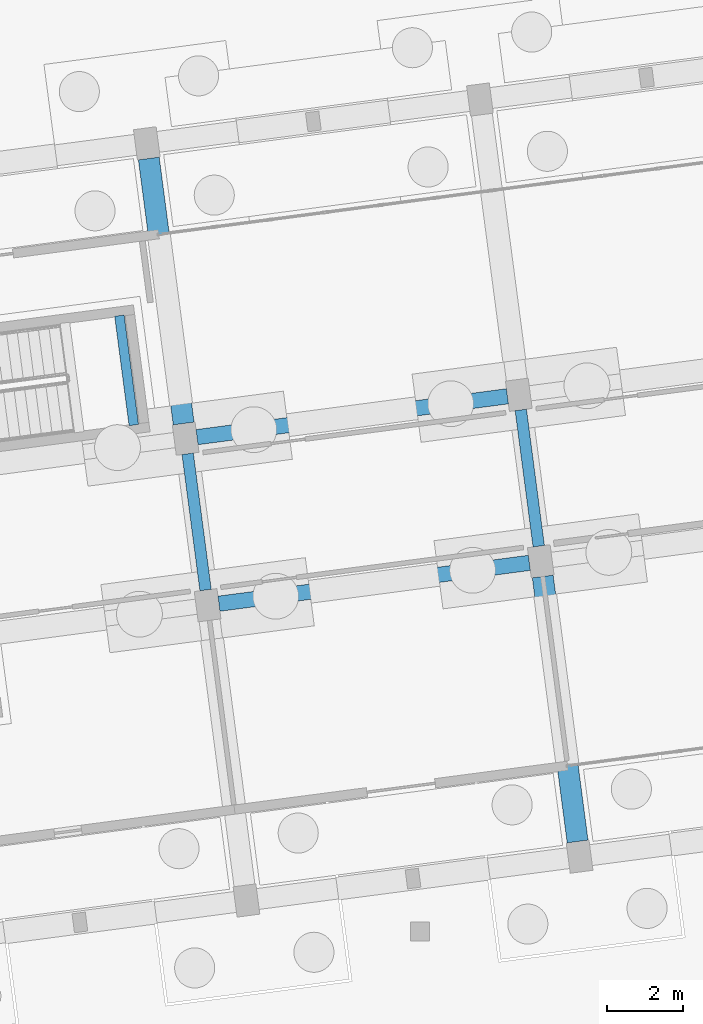
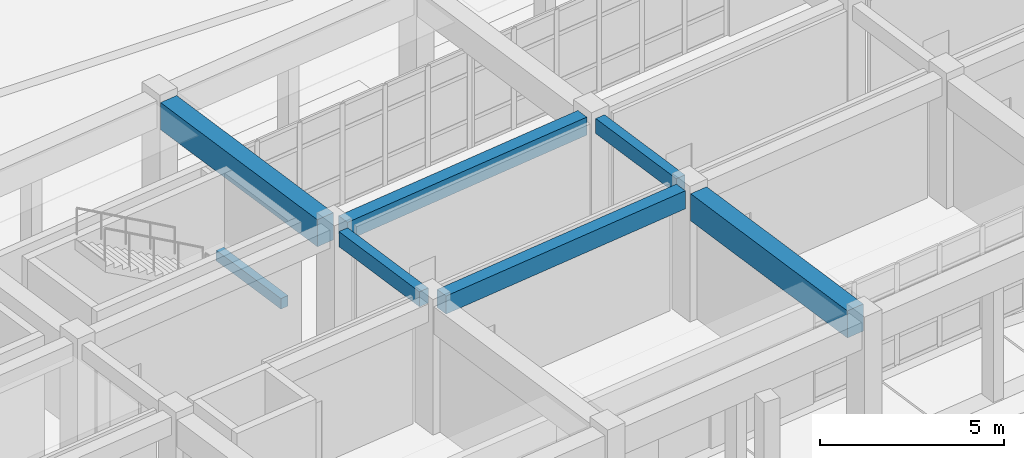
# One storey, part 65 of 154: 7 beams.
"""IFC4 building model written with IfcOpenShell, lengths in metres."""

import ifcopenshell
import ifcopenshell.guid

model = None  # the IFC model being written
_history = None  # IfcOwnerHistory: only IFC2X3 demands one
_inside = {}  # id of a spatial element -> (the spatial element, [elements in it])
_under = {}  # id of a project, library or spatial element -> (it, [spatial elements below it])
_declared = {}  # id of a project -> (the project, [libraries it declares])
_typed = {}  # id of a type object -> (the type object, [elements of that type])
_made_of = {}  # id of a material, layer set ... -> (it, [elements and type objects made of it])


def new_model(schema):
    """Start an empty IFC model of exactly this schema.

    Asked for "IFC4X3", IfcOpenShell would pick the latest addendum, in which some entities
    have other attributes; the version numbers below select the first issue.
    IFC2X3 requires an IfcOwnerHistory on every rooted entity: one is made here for all.
    """
    global model, _history
    if schema == "IFC4X3":
        model = ifcopenshell.file(schema_version=(4, 3, 0, 0))
    else:
        model = ifcopenshell.file(schema=schema)
    _inside.clear()
    _under.clear()
    _declared.clear()
    _typed.clear()
    _made_of.clear()
    _history = None
    if model.schema == "IFC2X3":
        org = make("IfcOrganization", Name="unknown")
        user = make(
            "IfcPersonAndOrganization",
            ThePerson=make("IfcPerson", FamilyName="unknown"),
            TheOrganization=org,
        )
        app = make(
            "IfcApplication",
            ApplicationDeveloper=org,
            Version="unknown",
            ApplicationFullName="unknown",
            ApplicationIdentifier="unknown",
        )
        _history = make(
            "IfcOwnerHistory",
            OwningUser=user,
            OwningApplication=app,
            ChangeAction="ADDED",
            CreationDate=0,
        )
    return model


def make(cls, **values):
    """One entity of the class cls with the attributes given. An attribute that is None is left unset."""
    return model.create_entity(
        cls, **{name: value for name, value in values.items() if value is not None}
    )


def rooted(cls, **values):
    """An entity with a GlobalId (a new one), such as an element, a storey or a relation."""
    return make(cls, GlobalId=ifcopenshell.guid.new(), OwnerHistory=_history, **values)


def si_unit(unit_type, name, prefix=None):
    """IfcSIUnit, for example si_unit("LENGTHUNIT", "METRE", prefix="MILLI")."""
    return make("IfcSIUnit", UnitType=unit_type, Prefix=prefix, Name=name)


def assignment(units):
    """IfcUnitAssignment: the units of a project."""
    return None if units is None else make("IfcUnitAssignment", Units=units)


def point(xyz):
    """IfcCartesianPoint."""
    return None if xyz is None else make("IfcCartesianPoint", Coordinates=xyz)


def direction(xyz):
    """IfcDirection."""
    return None if xyz is None else make("IfcDirection", DirectionRatios=xyz)


def frame(location, z_axis=None, x_axis=None):
    """IfcAxis2Placement3D, a coordinate frame: its origin and axes. An axis left out is left unset."""
    return make(
        "IfcAxis2Placement3D",
        Location=point(location),
        Axis=direction(z_axis),
        RefDirection=direction(x_axis),
    )


def frame_2d(location, x_axis=None):
    """IfcAxis2Placement2D, a coordinate frame in the plane: its origin and x axis."""
    return make(
        "IfcAxis2Placement2D", Location=point(location), RefDirection=direction(x_axis)
    )


def origin():
    """The frame at (0, 0, 0) with its axes left unset."""
    return frame((0.0, 0.0, 0.0))


def origin_2d():
    """The frame at (0, 0) in the plane with its x axis left unset."""
    return frame_2d((0.0, 0.0))


def place(relative_to, where):
    """IfcLocalPlacement: puts the frame where relative to a parent placement (None: the world)."""
    return make(
        "IfcLocalPlacement", PlacementRelTo=relative_to, RelativePlacement=where
    )


def context(
    kind, dimensions, precision=None, world=None, true_north=None, identifier=None
):
    """IfcGeometricRepresentationContext, for example the 3D "Model" context."""
    return make(
        "IfcGeometricRepresentationContext",
        ContextIdentifier=identifier,
        ContextType=kind,
        CoordinateSpaceDimension=dimensions,
        Precision=precision,
        WorldCoordinateSystem=world,
        TrueNorth=true_north,
    )


def subcontext(parent, identifier, kind, view, scale=None):
    """IfcGeometricRepresentationSubContext, for example "Body" below "Model"."""
    return make(
        "IfcGeometricRepresentationSubContext",
        ContextIdentifier=identifier,
        ContextType=kind,
        ParentContext=parent,
        TargetScale=scale,
        TargetView=view,
    )


def project(units=None, contexts=None):
    """IfcProject with its units and contexts."""
    return rooted(
        "IfcProject",
        Name="project",
        RepresentationContexts=contexts,
        UnitsInContext=assignment(units),
    )


def spatial(cls, under=None, at=None, **own):
    """A site, building, storey or space (cls), placed at a placement, below another one or the project."""
    s = rooted(cls, ObjectPlacement=at, **own)
    if under is not None:
        _under.setdefault(under.id(), (under, []))[1].append(s)
    return s


def profile(cls, at=None, kind="AREA", **sizes):
    """A parametric profile (cls). Its sizes go by their IFC names, for example OverallWidth=200.0."""
    return make(cls, ProfileType=kind, Position=at, **sizes)


def rectangle(**sizes):
    """IfcRectangleProfileDef."""
    return profile("IfcRectangleProfileDef", **sizes)


def extrude(swept, where, along, depth):
    """IfcExtrudedAreaSolid: the profile swept, set in the frame where, extruded along a direction by depth."""
    return make(
        "IfcExtrudedAreaSolid",
        SweptArea=swept,
        Position=where,
        ExtrudedDirection=direction(along),
        Depth=depth,
    )


def shape(context_of_items, identifier, shape_type, items):
    """IfcShapeRepresentation: the items that make up one representation, for example the "Body"."""
    return make(
        "IfcShapeRepresentation",
        ContextOfItems=context_of_items,
        RepresentationIdentifier=identifier,
        RepresentationType=shape_type,
        Items=items,
    )


def material(Name=None, Category=None):
    """IfcMaterial."""
    return make("IfcMaterial", Name=Name, Category=Category)


def material_profile(
    of_material, cross_section, Name=None, Category=None, Priority=None
):
    """IfcMaterialProfile: a cross section and its material."""
    return make(
        "IfcMaterialProfile",
        Name=Name,
        Material=of_material,
        Profile=cross_section,
        Priority=Priority,
        Category=Category,
    )


def profile_set(profiles, Name=None, composite=None):
    """IfcMaterialProfileSet."""
    return make(
        "IfcMaterialProfileSet",
        Name=Name,
        MaterialProfiles=profiles,
        CompositeProfile=composite,
    )


def made_of(thing, what):
    """Note that an element or type object is made of a material, layer set ...; save() writes the relation."""
    if what is not None:
        _made_of.setdefault(what.id(), (what, []))[1].append(thing)
    return thing


def type_object(cls, material=None, **own):
    """A type object (cls), such as IfcWallType, which elements share."""
    return made_of(rooted(cls, **own), material)


def element(
    cls,
    number,
    at=None,
    inside=None,
    cuts=None,
    type_object=None,
    material=None,
    context=None,
    identifier="Body",
    shape_type=None,
    held_by="IfcProductDefinitionShape",
    body=None,
    shapes=None,
    **own,
):
    """One element of the class cls, such as IfcWall. Its Tag is "e" and its number.

    at: its placement. inside: the storey or other place that contains it. cuts: it is an
    opening in that element (IfcRelVoidsElement). A single representation is given by context,
    identifier, shape_type and body (its items); several are given by shapes. held_by: the class
    of the entity that holds the representations. save() writes the other relations.
    """
    e = rooted(cls, Tag="e%d" % number, ObjectPlacement=at, **own)
    if body is not None:
        shapes = [shape(context, identifier, shape_type, body)]
    if shapes is not None:
        e.Representation = make(held_by, Representations=shapes)
    if inside is not None:
        _inside.setdefault(inside.id(), (inside, []))[1].append(e)
    if cuts is not None:
        rooted(
            "IfcRelVoidsElement", RelatingBuildingElement=cuts, RelatedOpeningElement=e
        )
    if type_object is not None:
        _typed.setdefault(type_object.id(), (type_object, []))[1].append(e)
    return made_of(e, material)


def aggregate(whole, parts):
    """IfcRelAggregates: a whole, such as a stair, and the parts it consists of."""
    return rooted("IfcRelAggregates", RelatingObject=whole, RelatedObjects=parts)


def save(model, path):
    """Write the relations noted so far, then the file.

    IfcRelAggregates (storeys below a building ...), IfcRelContainedInSpatialStructure (elements
    in a storey), IfcRelDefinesByType, IfcRelAssociatesMaterial and IfcRelDeclares: one each for
    every whole, place, type object, material and project.
    """
    for whole, parts in _under.values():
        aggregate(whole, parts)
    for where, things in _inside.values():
        rooted(
            "IfcRelContainedInSpatialStructure",
            RelatedElements=things,
            RelatingStructure=where,
        )
    for kind, things in _typed.values():
        rooted("IfcRelDefinesByType", RelatedObjects=things, RelatingType=kind)
    for what, things in _made_of.values():
        rooted("IfcRelAssociatesMaterial", RelatedObjects=things, RelatingMaterial=what)
    for by, libraries in _declared.values():
        rooted("IfcRelDeclares", RelatingContext=by, RelatedDefinitions=libraries)
    model.write(path)


model = new_model("IFC4")

# Units and contexts
model_context = context("Model", 3, precision=1e-05, world=origin(), true_north=direction((0.0, 1.0)))
body_context = subcontext(model_context, "Body", "Model", "MODEL_VIEW")
ifc_project = project(units=[si_unit("LENGTHUNIT", "METRE"), si_unit("AREAUNIT", "SQUARE_METRE"), si_unit("VOLUMEUNIT", "CUBIC_METRE"), si_unit("PLANEANGLEUNIT", "RADIAN"), si_unit("MASSUNIT", "GRAM", prefix="KILO")], contexts=[model_context])

# Site, building, storey
site_placement = place(None, origin())
site = spatial("IfcSite", under=ifc_project, at=site_placement, CompositionType="ELEMENT")
building_placement = place(site_placement, origin())
building = spatial("IfcBuilding", under=site, at=building_placement, Name="Kestramere Prow Commons", CompositionType="ELEMENT")
storey_placement = place(building_placement, origin())
storey = spatial("IfcBuildingStorey", under=building, at=storey_placement, Name="L00", CompositionType="ELEMENT", Elevation=0.0)

# Beams
ifc_material_1 = material(Name="Precast concrete C40/50", Category="concrete")
ifc_material_profile_1 = material_profile(ifc_material_1, rectangle(XDim=0.39990234375, YDim=0.60009765625, at=origin_2d()), Name="PC-BM 400x600")
ifc_profile_set_1 = profile_set([ifc_material_profile_1], Name="Precast concrete C40/50")
beam_type_1 = type_object("IfcBeamType", Name="BM-A1 PC-BM 400x600", PredefinedType="BEAM", material=ifc_profile_set_1)
beam_1_placement = place(storey_placement, frame((36.653564453125, 83.21826171875, 3.949951171875), z_axis=(0.991444462646, 0.130529220825, 0.0), x_axis=(-0.130529220825, 0.991444462646, 0.0)))
element("IfcBeam", 1, at=beam_1_placement, inside=storey, type_object=beam_type_1, Name="Block A L00 Longitudinal Beam 2-4", PredefinedType="BEAM", context=body_context, shape_type="SweptSolid", body=[
    extrude(rectangle(XDim=0.39990234375, YDim=0.60009765625, at=origin_2d()), origin(), (0.0, 0.0, 1.0), 8.19970703125),
])
beam_2_placement = place(storey_placement, frame((36.0791015625, 87.58056640625, 3.949951171875), z_axis=(0.991444969909, 0.13052536781, 0.0), x_axis=(-0.13052536781, 0.991444969909, 0.0)))
element("IfcBeam", 2, at=beam_2_placement, inside=storey, type_object=beam_type_1, Name="Block A L00 Longitudinal Beam 3-4", PredefinedType="BEAM", context=body_context, shape_type="SweptSolid", body=[
    extrude(rectangle(XDim=0.39990234375, YDim=0.60009765625, at=origin_2d()), origin(), (0.0, 0.0, 1.0), 8.199951171875),
])
ifc_material_2 = material(Name="Concrete C40/50", Category="concrete")
ifc_material_profile_2 = material_profile(ifc_material_2, rectangle(XDim=0.25, YDim=0.35009765625, at=origin_2d()), Name="PC-BM 250x350")
ifc_profile_set_2 = profile_set([ifc_material_profile_2], Name="Concrete C40/50")
beam_type_2 = type_object("IfcBeamType", Name="BM-ST-TRIM", PredefinedType="BEAM", material=ifc_profile_set_2)
beam_3_placement = place(storey_placement, frame((34.423583984375, 87.897216796875, 1.875), z_axis=(-0.130509140242, 0.99144710616, 0.0), x_axis=(-0.99144710616, -0.130509140242, 0.0)))
element("IfcBeam", 3, at=beam_3_placement, inside=storey, type_object=beam_type_2, Name="ST-A2 L00 Landing Trimmer Beam 1B", PredefinedType="BEAM", context=body_context, shape_type="SweptSolid", body=[
    extrude(rectangle(XDim=0.25, YDim=0.35009765625, at=origin_2d()), origin(), (0.0, 0.0, 1.0), 2.89013671875),
])
ifc_material_profile_3 = material_profile(ifc_material_1, rectangle(XDim=0.300048828125, YDim=0.5, at=origin_2d()), Name="PC-BM 300x500")
ifc_profile_set_3 = profile_set([ifc_material_profile_3], Name="Precast concrete C40/50")
beam_type_3 = type_object("IfcBeamType", Name="BM-TIE-01 PC-BM 300x500", PredefinedType="BEAM", material=ifc_profile_set_3)
beam_4_placement = place(storey_placement, frame((36.3037109375, 83.57568359375, 4.0), z_axis=(-0.130475563272, 0.991451525486, 0.0), x_axis=(-0.991451525486, -0.130475563272, 0.0)))
element("IfcBeam", 4, at=beam_4_placement, inside=storey, type_object=beam_type_3, Name="Block A L00 Transverse Beam 4-2", PredefinedType="BEAM", context=body_context, shape_type="SweptSolid", body=[
    extrude(rectangle(XDim=0.300048828125, YDim=0.5, at=origin_2d()), origin(), (0.0, 0.0, 1.0), 3.60009765625),
])
beam_5_placement = place(storey_placement, frame((45.028564453125, 84.724365234375, 4.0), z_axis=(-0.130551000099, 0.991441595039, 0.0), x_axis=(-0.991441595039, -0.130551000099, 0.0)))
element("IfcBeam", 5, at=beam_5_placement, inside=storey, type_object=beam_type_3, Name="Block A L00 Transverse Beam 5-2", PredefinedType="BEAM", context=body_context, shape_type="SweptSolid", body=[
    extrude(rectangle(XDim=0.300048828125, YDim=0.5, at=origin_2d()), origin(), (0.0, 0.0, 1.0), 3.599853515625),
])
ifc_material_profile_4 = material_profile(ifc_material_1, rectangle(XDim=0.550048828125, YDim=0.89990234375, at=origin_2d()), Name="PC-TG 550x900")
ifc_profile_set_4 = profile_set([ifc_material_profile_4], Name="Precast concrete C40/50")
beam_type_4 = type_object("IfcBeamType", Name="TG-01 PC-TG 550x900 (EX)", PredefinedType="BEAM", material=ifc_profile_set_4)
beam_6_placement = place(storey_placement, frame((35.7294921875, 87.93798828125, 3.800048828125), z_axis=(-0.13050954625, 0.991447052715, 0.0), x_axis=(-0.991447052715, -0.13050954625, 0.0)))
element("IfcBeam", 6, at=beam_6_placement, inside=storey, type_object=beam_type_4, Name="Block A L00 N Colonnade Transfer Girder 4", PredefinedType="BEAM", context=body_context, shape_type="SweptSolid", body=[
    extrude(rectangle(XDim=0.550048828125, YDim=0.89990234375, at=origin_2d()), origin(), (0.0, 0.0, 1.0), 7.0),
])
beam_7_placement = place(storey_placement, frame((46.046630859375, 76.9912109375, 3.800048828125), z_axis=(-0.130514059249, 0.991446458634, 0.0), x_axis=(-0.991446458634, -0.130514059249, 0.0)))
element("IfcBeam", 7, at=beam_7_placement, inside=storey, type_object=beam_type_4, Name="Block A L00 S Colonnade Transfer Girder 5", PredefinedType="BEAM", context=body_context, shape_type="SweptSolid", body=[
    extrude(rectangle(XDim=0.550048828125, YDim=0.89990234375, at=origin_2d()), origin(), (0.0, 0.0, 1.0), 6.999755859375),
])

save(model, "model.ifc")
